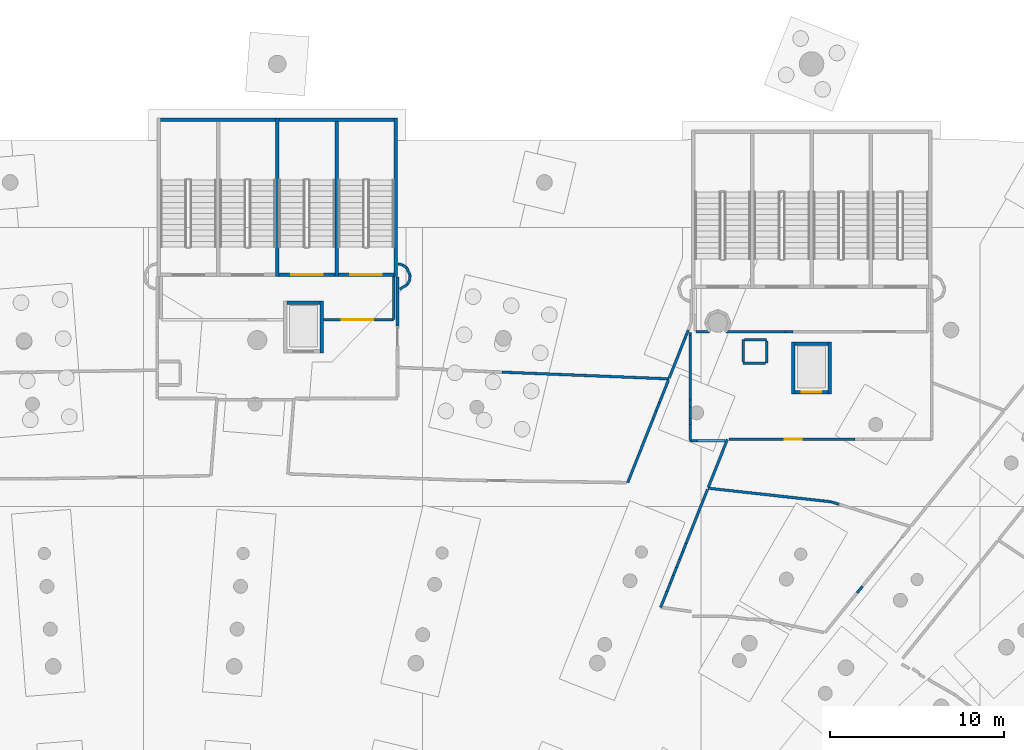
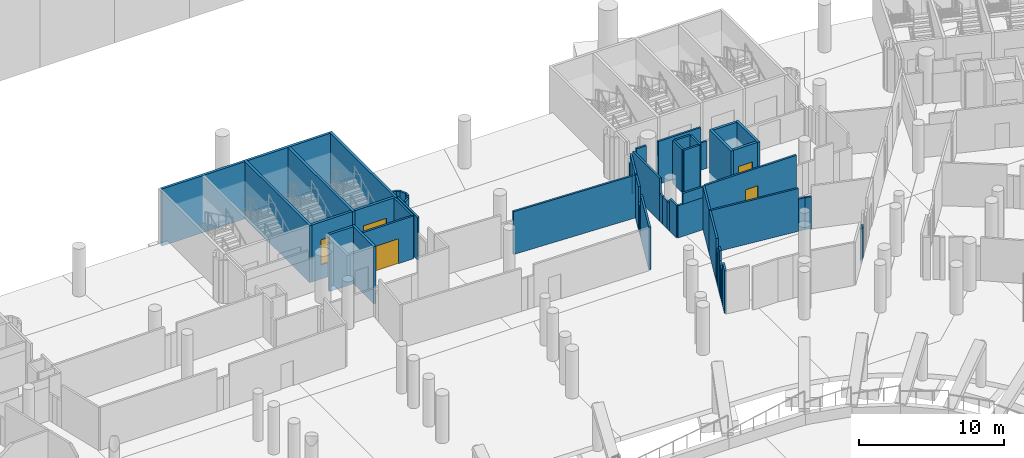
# One storey, part 89 of 142: 58 walls, 5 doors, 5 openings.
"""IFC4 building model written with IfcOpenShell, lengths in metres."""

from ifc_helpers import new_model, si_unit, direction, frame, frame_2d, origin, place, context, subcontext, project, spatial, rectangle, extrude, material, layer, layer_set, type_object, element, fill, save


model = new_model("IFC4")

# Units and contexts
model_context = context("Model", 3, precision=1e-05, world=origin(), true_north=direction((0.0, 1.0)))
body_context = subcontext(model_context, "Body", "Model", "MODEL_VIEW")
ifc_project = project(units=[si_unit("LENGTHUNIT", "METRE"), si_unit("AREAUNIT", "SQUARE_METRE"), si_unit("VOLUMEUNIT", "CUBIC_METRE"), si_unit("PLANEANGLEUNIT", "RADIAN"), si_unit("MASSUNIT", "GRAM", prefix="KILO")], contexts=[model_context])

# Site, building, storey
site_placement = place(None, origin())
site = spatial("IfcSite", under=ifc_project, at=site_placement, CompositionType="ELEMENT")
building_placement = place(site_placement, origin())
building = spatial("IfcBuilding", under=site, at=building_placement, Name="Meseta Stadium", CompositionType="ELEMENT")
storey_placement = place(building_placement, frame((0.0, 0.0, -4.0)))
storey = spatial("IfcBuildingStorey", under=building, at=storey_placement, Name="B1", CompositionType="ELEMENT", Elevation=-4.0)

# Walls
ifc_material_1 = material(Name="Concrete C40/50", Category="concrete")
ifc_layer_1 = layer(ifc_material_1, 0.199951171875)
ifc_layer_set_1 = layer_set([ifc_layer_1], Name="Core divider wall 200")
wall_type_1 = type_object("IfcWallType", Name="Core divider wall 200", PredefinedType="SHEAR", material=ifc_layer_set_1)
wall_1_placement = place(storey_placement, frame((11.066650390625, 102.300048828125, -1.199951171875), z_axis=(0.0, 0.0, 1.0), x_axis=(0.0, -1.0, 0.0)))
element("IfcWall", 1, at=wall_1_placement, inside=storey, type_object=wall_type_1, Name="Core 10 B1 stair A divider wall", PredefinedType="SHEAR", context=body_context, shape_type="SweptSolid", body=[
    extrude(rectangle(XDim=9.10009765625, YDim=0.199951171875, at=frame_2d((4.550048828125, 0.0))), origin(), (0.0, 0.0, 1.0), 4.800048828125),
])
ifc_material_2 = material(Name="Concrete C40/50", Category="concrete")
ifc_layer_2 = layer(ifc_material_2, 0.199951171875)
ifc_layer_set_2 = layer_set([ifc_layer_2], Name="Core shaft wall 200")
wall_type_2 = type_object("IfcWallType", Name="Core shaft wall 200", PredefinedType="SHEAR", material=ifc_layer_set_2)
for number, where, z_axis, x_axis, name in (
    (2, (39.38330078125, 89.451171875, -1.199951171875), (0.0, 0.0, 1.0), (0.0, -1.0, 0.0), "Core 09 B1 lift shaft wall left"),
    (3, (37.283203125, 89.451171875, -1.199951171875), (0.0, 0.0, 1.0), (0.0, -1.0, 0.0), "Core 09 B1 lift shaft wall right"),
):
    element("IfcWall", number, at=place(storey_placement, frame(where, z_axis=z_axis, x_axis=x_axis)), inside=storey, type_object=wall_type_2, Name=name, PredefinedType="SHEAR", context=body_context, shape_type="SweptSolid", body=[
        extrude(rectangle(XDim=3.0, YDim=0.199951171875, at=frame_2d((1.5, 0.0))), origin(), (0.0, 0.0, 1.0), 4.800048828125),
    ])
wall_2_placement = place(storey_placement, frame((39.283203125, 89.35107421875, -1.199951171875), z_axis=(0.0, 0.0, 1.0), x_axis=(-1.0, 0.0, 0.0)))
element("IfcWall", 4, at=wall_2_placement, inside=storey, type_object=wall_type_2, Name="Core 09 B1 lift shaft back wall", PredefinedType="SHEAR", context=body_context, shape_type="SweptSolid", body=[
    extrude(rectangle(XDim=1.89990234375, YDim=0.199951171875, at=frame_2d((0.949951171875, 0.0))), origin(), (0.0, 0.0, 1.0), 4.800048828125),
])

# Wall, opening, door
wall_3_placement = place(storey_placement, frame((39.283203125, 86.551025390625, -1.199951171875), z_axis=(0.0, 0.0, 1.0), x_axis=(-1.0, 0.0, 0.0)))
wall_3 = element("IfcWall", 5, at=wall_3_placement, inside=storey, type_object=wall_type_2, Name="Core 09 B1 lift shaft front wall", PredefinedType="SHEAR", context=body_context, shape_type="SweptSolid", body=[
    extrude(rectangle(XDim=1.89990234375, YDim=0.199951171875, at=frame_2d((0.949951171875, 0.0))), origin(), (0.0, 0.0, 1.0), 4.800048828125),
])
opening_1_placement = place(wall_3_placement, frame((0.39990234375, 0.0, 1.199951171875)))
opening_1 = element("IfcOpeningElement", 6, at=opening_1_placement, cuts=wall_3, Name="Opening LD47", PredefinedType="OPENING", context=body_context, shape_type="SweptSolid", body=[
    extrude(rectangle(XDim=1.10009765625, YDim=2.10009765625, at=frame_2d((0.550048828125, 1.050048828125))), frame((0.0, 0.10986328125, 0.0), z_axis=(0.0, -1.0, 0.0), x_axis=(1.0, 0.0, 0.0)), (0.0, 0.0, 1.0), 0.219970703125),
])
ifc_material_3 = material(Name="Steel", Category="steel")
door_type_1 = type_object("IfcDoorType", Name="Lift landing door 1100x2100", OperationType="SLIDING_TO_LEFT", PredefinedType="DOOR", material=ifc_material_3)
door_1_placement = place(opening_1_placement, origin())
door_1 = element("IfcDoor", 7, at=door_1_placement, inside=storey, type_object=door_type_1, Name="Lift landing door LD47", OperationType="SLIDING_TO_LEFT", OverallHeight=2.10009765625, OverallWidth=1.10009765625, PredefinedType="DOOR", context=body_context, shape_type="SweptSolid", body=[
    extrude(rectangle(XDim=1.10009765625, YDim=2.10009765625, at=frame_2d((0.550048828125, 1.050048828125))), frame((0.0, 0.02490234375, 0.0), z_axis=(0.0, -1.0, 0.0), x_axis=(1.0, 0.0, 0.0)), (0.0, 0.0, 1.0), 0.050048828125),
])
fill(opening_1, door_1)

# Walls
for number, where, z_axis, x_axis, name in (
    (8, (14.466796875, 102.300048828125, -1.199951171875), (0.0, 0.0, 1.0), (0.0, -1.0, 0.0), "Core 10 B1 stair wall A-side"),
    (9, (7.666748046875, 102.300048828125, -1.199951171875), (0.0, 0.0, 1.0), (0.0, -1.0, 0.0), "Core 10 B1 stair wall shared"),
):
    element("IfcWall", number, at=place(storey_placement, frame(where, z_axis=z_axis, x_axis=x_axis)), inside=storey, type_object=wall_type_2, Name=name, PredefinedType="SHEAR", context=body_context, shape_type="SweptSolid", body=[
        extrude(rectangle(XDim=9.10009765625, YDim=0.199951171875, at=frame_2d((4.550048828125, 0.0))), origin(), (0.0, 0.0, 1.0), 4.800048828125),
    ])
wall_4_placement = place(storey_placement, frame((14.36669921875, 102.199951171875, -1.199951171875), z_axis=(0.0, 0.0, 1.0), x_axis=(-1.0, 0.0, 0.0)))
element("IfcWall", 10, at=wall_4_placement, inside=storey, type_object=wall_type_2, Name="Core 10 B1 stair A outer end wall", PredefinedType="SHEAR", context=body_context, shape_type="SweptSolid", body=[
    extrude(rectangle(XDim=6.60009765625, YDim=0.199951171875, at=frame_2d((3.300048828125, 0.0))), origin(), (0.0, 0.0, 1.0), 4.800048828125),
])
wall_5_placement = place(storey_placement, frame((7.566650390625, 102.199951171875, -1.199951171875), z_axis=(0.0, 0.0, 1.0), x_axis=(-1.0, 0.0, 0.0)))
element("IfcWall", 11, at=wall_5_placement, inside=storey, type_object=wall_type_2, Name="Core 10 B1 stair B outer end wall", PredefinedType="SHEAR", context=body_context, shape_type="SweptSolid", body=[
    extrude(rectangle(XDim=6.599853515625, YDim=0.199951171875, at=frame_2d((3.2998046875, 0.0))), origin(), (0.0, 0.0, 1.0), 4.800048828125),
])

# Wall, opening, door
wall_6_placement = place(storey_placement, frame((14.36669921875, 93.300048828125, -1.199951171875), z_axis=(0.0, 0.0, 1.0), x_axis=(-1.0, 0.0, 0.0)))
wall_6 = element("IfcWall", 12, at=wall_6_placement, inside=storey, type_object=wall_type_2, Name="Core 10 B1 stair A1 inner end wall", PredefinedType="SHEAR", context=body_context, shape_type="SweptSolid", body=[
    extrude(rectangle(XDim=3.199951171875, YDim=0.199951171875, at=frame_2d((1.60009765625, 0.0))), origin(), (0.0, 0.0, 1.0), 4.800048828125),
])
opening_2_placement = place(wall_6_placement, frame((0.699951171875, 0.0, 1.199951171875)))
opening_2 = element("IfcOpeningElement", 13, at=opening_2_placement, cuts=wall_6, Name="Opening D139", PredefinedType="OPENING", context=body_context, shape_type="SweptSolid", body=[
    extrude(rectangle(XDim=1.800048828125, YDim=2.10009765625, at=frame_2d((0.89990234375, 1.050048828125))), frame((0.0, 0.10986328125, 0.0), z_axis=(0.0, -1.0, 0.0), x_axis=(1.0, 0.0, 0.0)), (0.0, 0.0, 1.0), 0.219970703125),
])
ifc_material_4 = material(Name="Steel", Category="steel")
door_type_2 = type_object("IfcDoorType", Name="Stair door 1800x2100", OperationType="DOUBLE_DOOR_SINGLE_SWING", PredefinedType="DOOR", material=ifc_material_4)
door_2_placement = place(opening_2_placement, origin())
door_2 = element("IfcDoor", 14, at=door_2_placement, inside=storey, type_object=door_type_2, Name="Stair A1 door 10 B1", OperationType="DOUBLE_DOOR_SINGLE_SWING", OverallHeight=2.10009765625, OverallWidth=1.800048828125, PredefinedType="DOOR", context=body_context, shape_type="SweptSolid", body=[
    extrude(rectangle(XDim=1.800048828125, YDim=2.10009765625, at=frame_2d((0.89990234375, 1.050048828125))), frame((0.0, 0.02490234375, 0.0), z_axis=(0.0, -1.0, 0.0), x_axis=(1.0, 0.0, 0.0)), (0.0, 0.0, 1.0), 0.050048828125),
])
fill(opening_2, door_2)

wall_7_placement = place(storey_placement, frame((10.966796875, 93.300048828125, -1.199951171875), z_axis=(0.0, 0.0, 1.0), x_axis=(-1.0, 0.0, 0.0)))
wall_7 = element("IfcWall", 15, at=wall_7_placement, inside=storey, type_object=wall_type_2, Name="Core 10 B1 stair A2 inner end wall", PredefinedType="SHEAR", context=body_context, shape_type="SweptSolid", body=[
    extrude(rectangle(XDim=3.2001953125, YDim=0.199951171875, at=frame_2d((1.60009765625, 0.0))), origin(), (0.0, 0.0, 1.0), 4.800048828125),
])
opening_3_placement = place(wall_7_placement, frame((0.699951171875, 0.0, 1.199951171875)))
opening_3 = element("IfcOpeningElement", 16, at=opening_3_placement, cuts=wall_7, Name="Opening D140", PredefinedType="OPENING", context=body_context, shape_type="SweptSolid", body=[
    extrude(rectangle(XDim=1.800048828125, YDim=2.10009765625, at=frame_2d((0.89990234375, 1.050048828125))), frame((0.0, 0.10986328125, 0.0), z_axis=(0.0, -1.0, 0.0), x_axis=(1.0, 0.0, 0.0)), (0.0, 0.0, 1.0), 0.219970703125),
])
door_3_placement = place(opening_3_placement, origin())
door_3 = element("IfcDoor", 17, at=door_3_placement, inside=storey, type_object=door_type_2, Name="Stair A2 door 10 B1", OperationType="DOUBLE_DOOR_SINGLE_SWING", OverallHeight=2.10009765625, OverallWidth=1.800048828125, PredefinedType="DOOR", context=body_context, shape_type="SweptSolid", body=[
    extrude(rectangle(XDim=1.800048828125, YDim=2.10009765625, at=frame_2d((0.89990234375, 1.050048828125))), frame((0.0, 0.02490234375, 0.0), z_axis=(0.0, -1.0, 0.0), x_axis=(1.0, 0.0, 0.0)), (0.0, 0.0, 1.0), 0.050048828125),
])
fill(opening_3, door_3)

# Walls
wall_8_placement = place(storey_placement, frame((10.216796875, 91.800048828125, -1.199951171875), z_axis=(0.0, 0.0, 1.0), x_axis=(0.0, -1.0, 0.0)))
element("IfcWall", 18, at=wall_8_placement, inside=storey, type_object=wall_type_2, Name="Core 10 B1 lift shaft wall left", PredefinedType="SHEAR", context=body_context, shape_type="SweptSolid", body=[
    extrude(rectangle(XDim=3.0, YDim=0.199951171875, at=frame_2d((1.5, 0.0))), origin(), (0.0, 0.0, 1.0), 4.800048828125),
])
wall_9_placement = place(storey_placement, frame((10.11669921875, 91.699951171875, -1.199951171875), z_axis=(0.0, 0.0, 1.0), x_axis=(-1.0, 0.0, 0.0)))
element("IfcWall", 19, at=wall_9_placement, inside=storey, type_object=wall_type_2, Name="Core 10 B1 lift shaft back wall", PredefinedType="SHEAR", context=body_context, shape_type="SweptSolid", body=[
    extrude(rectangle(XDim=1.89990234375, YDim=0.199951171875, at=frame_2d((0.949951171875, 0.0))), origin(), (0.0, 0.0, 1.0), 4.800048828125),
])
ifc_material_5 = material(Name="Masonry blockwork", Category="masonry")
ifc_layer_3 = layer(ifc_material_5, 0.14990234375)
ifc_layer_set_3 = layer_set([ifc_layer_3], Name="Partition 150")
wall_type_3 = type_object("IfcWallType", Name="Partition 150", PredefinedType="PARTITIONING", material=ifc_layer_set_3)
wall_10_placement = place(storey_placement, frame((32.387451171875, 81.0517578125, 0.0), z_axis=(0.0, 0.0, 1.0), x_axis=(0.993933014058, -0.109987106363, 0.0)))
element("IfcWall", 20, at=wall_10_placement, inside=storey, type_object=wall_type_3, Name="Partition B1 B1-cell07-1-0", PredefinedType="PARTITIONING", context=body_context, shape_type="SweptSolid", body=[
    extrude(rectangle(XDim=6.632568359375, YDim=0.14990234375, at=frame_2d((3.31640625, 0.0))), origin(), (0.0, 0.0, 1.0), 3.60009765625),
])
wall_11_placement = place(storey_placement, frame((38.979736328125, 80.322265625, 0.0), z_axis=(0.0, 0.0, 1.0), x_axis=(0.993902570525, -0.110261871484, 0.0)))
element("IfcWall", 21, at=wall_11_placement, inside=storey, type_object=wall_type_3, Name="Partition B1 B1-cell07-1-0", PredefinedType="PARTITIONING", context=body_context, shape_type="SweptSolid", body=[
    extrude(rectangle(XDim=0.473876953125, YDim=0.14990234375, at=frame_2d((0.23681640625, 0.0))), origin(), (0.0, 0.0, 1.0), 2.699951171875),
])
wall_12_placement = place(storey_placement, frame((39.45068359375, 80.27001953125, 0.0), z_axis=(0.0, 0.0, 1.0), x_axis=(0.954489064693, -0.298245914275, 0.0)))
element("IfcWall", 22, at=wall_12_placement, inside=storey, type_object=wall_type_3, Name="Partition B1 B1-cell07-1-0", PredefinedType="PARTITIONING", context=body_context, shape_type="SweptSolid", body=[
    extrude(rectangle(XDim=0.47802734375, YDim=0.14990234375, at=frame_2d((0.239013671875, 0.0))), origin(), (0.0, 0.0, 1.0), 2.699951171875),
])
wall_13_placement = place(storey_placement, frame((41.250732421875, 75.419677734375, 0.0), z_axis=(0.0, 0.0, 1.0), x_axis=(-0.627918424416, -0.778279160892, 0.0)))
element("IfcWall", 23, at=wall_13_placement, inside=storey, type_object=wall_type_3, Name="Partition B1 B1-cell07-1-0", PredefinedType="PARTITIONING", context=body_context, shape_type="SweptSolid", body=[
    extrude(rectangle(XDim=0.48876953125, YDim=0.14990234375, at=frame_2d((0.244384765625, 0.0))), origin(), (0.0, 0.0, 1.0), 2.699951171875),
])
wall_14_placement = place(storey_placement, frame((29.672607421875, 74.21044921875, 0.0), z_axis=(0.0, 0.0, 1.0), x_axis=(0.368944457188, 0.929451444407, 0.0)))
element("IfcWall", 24, at=wall_14_placement, inside=storey, type_object=wall_type_3, Name="Partition B1 B1-cell07-1-0", PredefinedType="PARTITIONING", context=body_context, shape_type="SweptSolid", body=[
    extrude(rectangle(XDim=0.9814453125, YDim=0.14990234375, at=frame_2d((0.49072265625, 0.0))), origin(), (0.0, 0.0, 1.0), 3.60009765625),
])
wall_15_placement = place(storey_placement, frame((30.03466796875, 75.12255859375, 0.0), z_axis=(0.0, 0.0, 1.0), x_axis=(0.368729509372, 0.929536738875, 0.0)))
element("IfcWall", 25, at=wall_15_placement, inside=storey, type_object=wall_type_3, Name="Partition B1 B1-cell07-1-0", PredefinedType="PARTITIONING", context=body_context, shape_type="SweptSolid", body=[
    extrude(rectangle(XDim=0.49072265625, YDim=0.14990234375, at=frame_2d((0.245361328125, 0.0))), origin(), (0.0, 0.0, 1.0), 2.699951171875),
])
wall_16_placement = place(storey_placement, frame((30.215576171875, 75.57861328125, 0.0), z_axis=(0.0, 0.0, 1.0), x_axis=(0.36855902715, 0.929604347831, 0.0)))
element("IfcWall", 26, at=wall_16_placement, inside=storey, type_object=wall_type_3, Name="Partition B1 B1-cell07-1-0", PredefinedType="PARTITIONING", context=body_context, shape_type="SweptSolid", body=[
    extrude(rectangle(XDim=0.490966796875, YDim=0.14990234375, at=frame_2d((0.24560546875, 0.0))), origin(), (0.0, 0.0, 1.0), 2.699951171875),
])
wall_17_placement = place(storey_placement, frame((30.396484375, 76.034912109375, 0.0), z_axis=(0.0, 0.0, 1.0), x_axis=(0.369159345825, 0.929366115904, 0.0)))
element("IfcWall", 27, at=wall_17_placement, inside=storey, type_object=wall_type_3, Name="Partition B1 B1-cell07-1-0", PredefinedType="PARTITIONING", context=body_context, shape_type="SweptSolid", body=[
    extrude(rectangle(XDim=0.49072265625, YDim=0.14990234375, at=frame_2d((0.245361328125, 0.0))), origin(), (0.0, 0.0, 1.0), 2.699951171875),
])
wall_18_placement = place(storey_placement, frame((30.57763671875, 76.490966796875, 0.0), z_axis=(0.0, 0.0, 1.0), x_axis=(0.368729509372, 0.929536738875, 0.0)))
element("IfcWall", 28, at=wall_18_placement, inside=storey, type_object=wall_type_3, Name="Partition B1 B1-cell07-1-0", PredefinedType="PARTITIONING", context=body_context, shape_type="SweptSolid", body=[
    extrude(rectangle(XDim=0.49072265625, YDim=0.14990234375, at=frame_2d((0.245361328125, 0.0))), origin(), (0.0, 0.0, 1.0), 3.60009765625),
])
for number, where, z_axis, x_axis, name in (
    (29, (30.758544921875, 76.947021484375, 0.0), (0.0, 0.0, 1.0), (0.368729509372, 0.929536738875, 0.0), "Partition B1 B1-cell07-1-0"),
    (30, (30.939453125, 77.403076171875, 0.0), (0.0, 0.0, 1.0), (0.369159345825, 0.929366115904, 0.0), "Partition B1 B1-cell07-1-0"),
):
    element("IfcWall", number, at=place(storey_placement, frame(where, z_axis=z_axis, x_axis=x_axis)), inside=storey, type_object=wall_type_3, Name=name, PredefinedType="PARTITIONING", context=body_context, shape_type="SweptSolid", body=[
        extrude(rectangle(XDim=0.49072265625, YDim=0.14990234375, at=frame_2d((0.245361328125, 0.0))), origin(), (0.0, 0.0, 1.0), 2.699951171875),
    ])
wall_19_placement = place(storey_placement, frame((31.12060546875, 77.859130859375, 0.0), z_axis=(0.0, 0.0, 1.0), x_axis=(0.368856490628, 0.929486357792, 0.0)))
element("IfcWall", 31, at=wall_19_placement, inside=storey, type_object=wall_type_3, Name="Partition B1 B1-cell07-1-0", PredefinedType="PARTITIONING", context=body_context, shape_type="SweptSolid", body=[
    extrude(rectangle(XDim=3.357177734375, YDim=0.14990234375, at=frame_2d((1.6787109375, 0.0))), origin(), (0.0, 0.0, 1.0), 3.60009765625),
])
wall_20_placement = place(storey_placement, frame((32.406494140625, 81.10009765625, 0.0), z_axis=(0.0, 0.0, 1.0), x_axis=(0.368886243229, 0.929474550247, 0.0)))
element("IfcWall", 32, at=wall_20_placement, inside=storey, type_object=wall_type_3, Name="Partition B1 B1-cell07-2-0", PredefinedType="PARTITIONING", context=body_context, shape_type="SweptSolid", body=[
    extrude(rectangle(XDim=2.959716796875, YDim=0.14990234375, at=frame_2d((1.47998046875, 0.0))), origin(), (0.0, 0.0, 1.0), 3.60009765625),
])

# Wall, opening, door
wall_21_placement = place(storey_placement, frame((33.5791015625, 83.85107421875, 0.0), z_axis=(0.0, 0.0, 1.0), x_axis=(1.0, 0.0, 0.0)))
wall_21 = element("IfcWall", 33, at=wall_21_placement, inside=storey, type_object=wall_type_3, Name="Partition B1 B1-cell07-2-0", PredefinedType="PARTITIONING", context=body_context, shape_type="SweptSolid", body=[
    extrude(rectangle(XDim=7.253662109375, YDim=0.14990234375, at=frame_2d((3.626953125, 0.0))), origin(), (0.0, 0.0, 1.0), 3.60009765625),
])
opening_4_placement = place(wall_21_placement, frame((3.199951171875, 0.0, 0.0)))
opening_4 = element("IfcOpeningElement", 34, at=opening_4_placement, cuts=wall_21, Name="Opening D455", PredefinedType="OPENING", context=body_context, shape_type="SweptSolid", body=[
    extrude(rectangle(XDim=1.0, YDim=2.10009765625, at=frame_2d((0.5, 1.050048828125))), frame((0.0, 0.0849609375, 0.0), z_axis=(0.0, -1.0, 0.0), x_axis=(1.0, 0.0, 0.0)), (0.0, 0.0, 1.0), 0.169921875),
])
ifc_material_6 = material(Name="Steel", Category="steel")
door_type_3 = type_object("IfcDoorType", Name="Fire door 1000x2100 EI2 120", OperationType="NOTDEFINED", PredefinedType="DOOR", material=ifc_material_6)
door_4_placement = place(opening_4_placement, origin())
door_4 = element("IfcDoor", 35, at=door_4_placement, inside=storey, type_object=door_type_3, Name="Door D455", OperationType="SINGLE_SWING_LEFT", OverallHeight=2.10009765625, OverallWidth=1.0, PredefinedType="DOOR", context=body_context, shape_type="SweptSolid", body=[
    extrude(rectangle(XDim=1.0, YDim=2.10009765625, at=frame_2d((0.5, 1.050048828125))), frame((0.0, 0.02490234375, 0.0), z_axis=(0.0, -1.0, 0.0), x_axis=(1.0, 0.0, 0.0)), (0.0, 0.0, 1.0), 0.050048828125),
])
fill(opening_4, door_4)

# Walls
wall_22_placement = place(storey_placement, frame((20.56494140625, 87.71142578125, 0.0), z_axis=(0.0, 0.0, 1.0), x_axis=(0.999191082899, -0.040214174799, 0.0)))
element("IfcWall", 36, at=wall_22_placement, inside=storey, type_object=wall_type_3, Name="Partition B1 B1-cell08-1-0", PredefinedType="PARTITIONING", context=body_context, shape_type="SweptSolid", body=[
    extrude(rectangle(XDim=9.586181640625, YDim=0.14990234375, at=frame_2d((4.79296875, 0.0))), origin(), (0.0, 0.0, 1.0), 3.60009765625),
])
wall_23_placement = place(storey_placement, frame((30.114013671875, 87.251953125, 0.0), z_axis=(0.0, 0.0, 1.0), x_axis=(-0.368802456255, -0.929507798924, 0.0)))
element("IfcWall", 37, at=wall_23_placement, inside=storey, type_object=wall_type_3, Name="Partition B1 B1-cell08-1-0", PredefinedType="PARTITIONING", context=body_context, shape_type="SweptSolid", body=[
    extrude(rectangle(XDim=1.3994140625, YDim=0.14990234375, at=frame_2d((0.69970703125, 0.0))), origin(), (0.0, 0.0, 1.0), 3.60009765625),
])
for number, where, z_axis, x_axis, name in (
    (38, (29.597900390625, 85.951171875, 0.0), (0.0, 0.0, 1.0), (-0.368913426822, -0.929463761268, 0.0), "Partition B1 B1-cell08-1-0"),
    (39, (29.416015625, 85.492919921875, 0.0), (0.0, 0.0, 1.0), (-0.368913426822, -0.929463761268, 0.0), "Partition B1 B1-cell08-1-0"),
):
    element("IfcWall", number, at=place(storey_placement, frame(where, z_axis=z_axis, x_axis=x_axis)), inside=storey, type_object=wall_type_3, Name=name, PredefinedType="PARTITIONING", context=body_context, shape_type="SweptSolid", body=[
        extrude(rectangle(XDim=0.492919921875, YDim=0.14990234375, at=frame_2d((0.24658203125, 0.0))), origin(), (0.0, 0.0, 1.0), 2.300048828125),
    ])
wall_24_placement = place(storey_placement, frame((29.234130859375, 85.03466796875, 0.0), z_axis=(0.0, 0.0, 1.0), x_axis=(-0.368859950934, -0.9294849846, 0.0)))
element("IfcWall", 40, at=wall_24_placement, inside=storey, type_object=wall_type_3, Name="Partition B1 B1-cell08-1-0", PredefinedType="PARTITIONING", context=body_context, shape_type="SweptSolid", body=[
    extrude(rectangle(XDim=3.944091796875, YDim=0.14990234375, at=frame_2d((1.97216796875, 0.0))), origin(), (0.0, 0.0, 1.0), 3.60009765625),
])
wall_25_placement = place(storey_placement, frame((14.566650390625, 90.366455078125, 0.0), z_axis=(0.0, 0.0, 1.0), x_axis=(0.0, 1.0, 0.0)))
element("IfcWall", 41, at=wall_25_placement, inside=storey, type_object=wall_type_3, Name="Partition B1 B1-cell08-2-0", PredefinedType="PARTITIONING", context=body_context, shape_type="SweptSolid", body=[
    extrude(rectangle(XDim=2.79345703125, YDim=0.14990234375, at=frame_2d((1.396728515625, 0.0))), origin(), (0.0, 0.0, 1.0), 3.60009765625),
])
wall_26_placement = place(storey_placement, frame((31.251708984375, 90.118896484375, 0.0), z_axis=(0.0, 0.0, 1.0), x_axis=(-0.368825125467, -0.9294988041, 0.0)))
element("IfcWall", 42, at=wall_26_placement, inside=storey, type_object=wall_type_3, Name="Partition B1 B1-cell08-2-0", PredefinedType="PARTITIONING", context=body_context, shape_type="SweptSolid", body=[
    extrude(rectangle(XDim=0.492431640625, YDim=0.14990234375, at=frame_2d((0.24609375, 0.0))), origin(), (0.0, 0.0, 1.0), 2.5),
])
wall_27_placement = place(storey_placement, frame((31.070068359375, 89.6611328125, 0.0), z_axis=(0.0, 0.0, 1.0), x_axis=(-0.368825125467, -0.9294988041, 0.0)))
element("IfcWall", 43, at=wall_27_placement, inside=storey, type_object=wall_type_3, Name="Partition B1 B1-cell08-2-0", PredefinedType="PARTITIONING", context=body_context, shape_type="SweptSolid", body=[
    extrude(rectangle(XDim=2.46240234375, YDim=0.14990234375, at=frame_2d((1.231201171875, 0.0))), origin(), (0.0, 0.0, 1.0), 3.60009765625),
])
wall_28_placement = place(storey_placement, frame((35.75830078125, 89.576171875, 0.0), z_axis=(0.0, 0.0, 1.0), x_axis=(-1.0, 0.0, 0.0)))
element("IfcWall", 44, at=wall_28_placement, inside=storey, type_object=wall_type_3, Name="Pressurisation shaft wall B1 core 09", PredefinedType="PARTITIONING", context=body_context, shape_type="SweptSolid", body=[
    extrude(rectangle(XDim=1.27490234375, YDim=0.14990234375, at=frame_2d((0.637451171875, 0.0))), origin(), (0.0, 0.0, 1.0), 3.60009765625),
])
for number, where, z_axis, x_axis, name in (
    (45, (34.408203125, 89.576171875, 0.0), (0.0, 0.0, 1.0), (0.0, -1.0, 0.0), "Pressurisation shaft wall B1 core 09"),
    (46, (34.408203125, 88.22607421875, 0.0), (0.0, 0.0, 1.0), (1.0, 0.0, 0.0), "Pressurisation shaft wall B1 core 09"),
    (47, (35.75830078125, 88.22607421875, 0.0), (0.0, 0.0, 1.0), (0.0, 1.0, 0.0), "Pressurisation shaft wall B1 core 09"),
):
    element("IfcWall", number, at=place(storey_placement, frame(where, z_axis=z_axis, x_axis=x_axis)), inside=storey, type_object=wall_type_3, Name=name, PredefinedType="PARTITIONING", context=body_context, shape_type="SweptSolid", body=[
        extrude(rectangle(XDim=1.275146484375, YDim=0.14990234375, at=frame_2d((0.6376953125, 0.0))), origin(), (0.0, 0.0, 1.0), 3.60009765625),
    ])
wall_29_placement = place(storey_placement, frame((31.693359375, 90.02490234375, 0.0), z_axis=(0.0, 0.0, 1.0), x_axis=(1.0, 0.0, 0.0)))
element("IfcWall", 48, at=wall_29_placement, inside=storey, type_object=wall_type_3, Name="Stair vestibule wall B1 core 09", PredefinedType="PARTITIONING", context=body_context, shape_type="SweptSolid", body=[
    extrude(rectangle(XDim=0.781982421875, YDim=0.14990234375, at=frame_2d((0.39111328125, 0.0))), origin(), (0.0, 0.0, 1.0), 3.60009765625),
])
wall_30_placement = place(storey_placement, frame((33.41259765625, 90.02490234375, 0.0), z_axis=(0.0, 0.0, 1.0), x_axis=(1.0, 0.0, 0.0)))
element("IfcWall", 49, at=wall_30_placement, inside=storey, type_object=wall_type_3, Name="Stair vestibule wall B1 core 09", PredefinedType="PARTITIONING", context=body_context, shape_type="SweptSolid", body=[
    extrude(rectangle(XDim=3.382080078125, YDim=0.14990234375, at=frame_2d((1.69091796875, 0.0))), origin(), (0.0, 0.0, 1.0), 3.60009765625),
])
wall_31_placement = place(storey_placement, frame((36.794677734375, 90.02490234375, 0.0), z_axis=(0.0, 0.0, 1.0), x_axis=(1.0, 0.0, 0.0)))
element("IfcWall", 50, at=wall_31_placement, inside=storey, type_object=wall_type_3, Name="Stair vestibule wall B1 core 09", PredefinedType="PARTITIONING", context=body_context, shape_type="SweptSolid", body=[
    extrude(rectangle(XDim=0.483154296875, YDim=0.14990234375, at=frame_2d((0.24169921875, 0.0))), origin(), (0.0, 0.0, 1.0), 2.300048828125),
])
wall_32_placement = place(storey_placement, frame((31.3583984375, 89.994140625, 0.0), z_axis=(0.0, 0.0, 1.0), x_axis=(0.0, -1.0, 0.0)))
element("IfcWall", 51, at=wall_32_placement, inside=storey, type_object=wall_type_3, Name="Stair vestibule wall B1 core 09", PredefinedType="PARTITIONING", context=body_context, shape_type="SweptSolid", body=[
    extrude(rectangle(XDim=0.180908203125, YDim=0.14990234375, at=frame_2d((0.09033203125, 0.0))), origin(), (0.0, 0.0, 1.0), 2.5),
])
wall_33_placement = place(storey_placement, frame((31.3583984375, 89.813232421875, 0.0), z_axis=(0.0, 0.0, 1.0), x_axis=(0.0, -1.0, 0.0)))
element("IfcWall", 52, at=wall_33_placement, inside=storey, type_object=wall_type_3, Name="Stair vestibule wall B1 core 09", PredefinedType="PARTITIONING", context=body_context, shape_type="SweptSolid", body=[
    extrude(rectangle(XDim=3.715087890625, YDim=0.14990234375, at=frame_2d((1.857421875, 0.0))), origin(), (0.0, 0.0, 1.0), 3.60009765625),
])
wall_34_placement = place(storey_placement, frame((31.3583984375, 86.09814453125, 0.0), z_axis=(0.0, 0.0, 1.0), x_axis=(0.0, -1.0, 0.0)))
element("IfcWall", 53, at=wall_34_placement, inside=storey, type_object=wall_type_3, Name="Stair vestibule wall B1 core 09", PredefinedType="PARTITIONING", context=body_context, shape_type="SweptSolid", body=[
    extrude(rectangle(XDim=0.388916015625, YDim=0.14990234375, at=frame_2d((0.1943359375, 0.0))), origin(), (0.0, 0.0, 1.0), 2.300048828125),
])
wall_35_placement = place(storey_placement, frame((31.3583984375, 85.044189453125, 0.0), z_axis=(0.0, 0.0, 1.0), x_axis=(0.0, -1.0, 0.0)))
element("IfcWall", 54, at=wall_35_placement, inside=storey, type_object=wall_type_3, Name="Stair vestibule wall B1 core 09", PredefinedType="PARTITIONING", context=body_context, shape_type="SweptSolid", body=[
    extrude(rectangle(XDim=0.33935546875, YDim=0.14990234375, at=frame_2d((0.169677734375, 0.0))), origin(), (0.0, 0.0, 1.0), 2.300048828125),
])
wall_36_placement = place(storey_placement, frame((31.3583984375, 84.704833984375, 0.0), z_axis=(0.0, 0.0, 1.0), x_axis=(0.0, -1.0, 0.0)))
element("IfcWall", 55, at=wall_36_placement, inside=storey, type_object=wall_type_3, Name="Stair vestibule wall B1 core 09", PredefinedType="PARTITIONING", context=body_context, shape_type="SweptSolid", body=[
    extrude(rectangle(XDim=0.9287109375, YDim=0.14990234375, at=frame_2d((0.46435546875, 0.0))), origin(), (0.0, 0.0, 1.0), 2.699951171875),
])
wall_37_placement = place(storey_placement, frame((31.3583984375, 83.776123046875, 0.0), z_axis=(0.0, 0.0, 1.0), x_axis=(1.0, 0.0, 0.0)))
element("IfcWall", 56, at=wall_37_placement, inside=storey, type_object=wall_type_3, Name="Stair vestibule wall B1 core 09", PredefinedType="PARTITIONING", context=body_context, shape_type="SweptSolid", body=[
    extrude(rectangle(XDim=1.998779296875, YDim=0.14990234375, at=frame_2d((0.99951171875, 0.0))), origin(), (0.0, 0.0, 1.0), 2.699951171875),
])
wall_38_placement = place(storey_placement, frame((31.767333984375, 83.776123046875, 2.699951171875), z_axis=(0.0, 0.0, 1.0), x_axis=(1.0, 0.0, 0.0)))
element("IfcWall", 57, at=wall_38_placement, inside=storey, type_object=wall_type_3, Name="Stair vestibule wall B1 core 09", PredefinedType="PARTITIONING", context=body_context, shape_type="SweptSolid", body=[
    extrude(rectangle(XDim=1.58984375, YDim=0.14990234375, at=frame_2d((0.794921875, 0.0))), origin(), (0.0, 0.0, 1.0), 0.900146484375),
])
wall_39_placement = place(storey_placement, frame((31.3583984375, 85.709228515625, 0.0), z_axis=(0.0, 0.0, 1.0), x_axis=(0.0, -1.0, 0.0)))
element("IfcWall", 58, at=wall_39_placement, inside=storey, type_object=wall_type_3, Name="Stair vestibule wall B1 core 09", PredefinedType="PARTITIONING", context=body_context, shape_type="SweptSolid", body=[
    extrude(rectangle(XDim=0.6650390625, YDim=0.14990234375, at=frame_2d((0.33251953125, 0.0))), origin(), (0.0, 0.0, 1.0), 2.300048828125),
])

# Wall, opening, door
wall_40_placement = place(storey_placement, frame((10.32666015625, 90.72509765625, 0.0), z_axis=(0.0, 0.0, 1.0), x_axis=(1.0, 0.0, 0.0)))
wall_40 = element("IfcWall", 59, at=wall_40_placement, inside=storey, type_object=wall_type_3, Name="Stair vestibule wall B1 core 10", PredefinedType="PARTITIONING", context=body_context, shape_type="SweptSolid", body=[
    extrude(rectangle(XDim=4.01513671875, YDim=0.14990234375, at=frame_2d((2.007568359375, 0.0))), origin(), (0.0, 0.0, 1.0), 3.60009765625),
])
opening_5_placement = place(wall_40_placement, frame((1.050048828125, 0.0, 0.0)))
opening_5 = element("IfcOpeningElement", 60, at=opening_5_placement, cuts=wall_40, Name="Opening D723", PredefinedType="OPENING", context=body_context, shape_type="SweptSolid", body=[
    extrude(rectangle(XDim=1.800048828125, YDim=2.10009765625, at=frame_2d((0.89990234375, 1.050048828125))), frame((0.0, 0.0849609375, 0.0), z_axis=(0.0, -1.0, 0.0), x_axis=(1.0, 0.0, 0.0)), (0.0, 0.0, 1.0), 0.169921875),
])
ifc_material_7 = material(Name="Steel", Category="steel")
door_type_4 = type_object("IfcDoorType", Name="Fire double door 1800x2100 EI2 60", OperationType="DOUBLE_DOOR_SINGLE_SWING", PredefinedType="DOOR", material=ifc_material_7)
door_5_placement = place(opening_5_placement, origin())
door_5 = element("IfcDoor", 61, at=door_5_placement, inside=storey, type_object=door_type_4, Name="Stair vestibule door B1 core 10", OperationType="DOUBLE_DOOR_SINGLE_SWING", OverallHeight=2.10009765625, OverallWidth=1.800048828125, PredefinedType="DOOR", context=body_context, shape_type="SweptSolid", body=[
    extrude(rectangle(XDim=1.800048828125, YDim=2.10009765625, at=frame_2d((0.89990234375, 1.050048828125))), frame((0.0, 0.02490234375, 0.0), z_axis=(0.0, -1.0, 0.0), x_axis=(1.0, 0.0, 0.0)), (0.0, 0.0, 1.0), 0.050048828125),
])
fill(opening_5, door_5)

# Walls
wall_41_placement = place(storey_placement, frame((14.341796875, 90.72509765625, 0.0), z_axis=(0.0, 0.0, 1.0), x_axis=(0.0, 1.0, 0.0)))
element("IfcWall", 62, at=wall_41_placement, inside=storey, type_object=wall_type_3, Name="Stair vestibule wall B1 core 10", PredefinedType="PARTITIONING", context=body_context, shape_type="SweptSolid", body=[
    extrude(rectangle(XDim=2.46484375, YDim=0.14990234375, at=frame_2d((1.232421875, 0.0))), origin(), (0.0, 0.0, 1.0), 3.60009765625),
])
wall_42_placement = place(storey_placement, frame((14.69580078125, 92.477294921875, 0.0), z_axis=(0.0, 0.0, 1.0), x_axis=(0.85856712863, 0.512701166017, 0.0)))
element("IfcWall", 63, at=wall_42_placement, inside=storey, type_object=wall_type_3, Name="Stair vestibule wall B1 core 10", PredefinedType="PARTITIONING", context=body_context, shape_type="SweptSolid", body=[
    extrude(rectangle(XDim=0.50048828125, YDim=0.14990234375, at=frame_2d((0.250244140625, 0.0))), origin(), (0.0, 0.0, 1.0), 3.60009765625),
])
wall_43_placement = place(storey_placement, frame((15.12548828125, 92.73388671875, 0.0), z_axis=(0.0, 0.0, 1.0), x_axis=(0.471682765858, 0.881768319, 0.0)))
element("IfcWall", 64, at=wall_43_placement, inside=storey, type_object=wall_type_3, Name="Stair vestibule wall B1 core 10", PredefinedType="PARTITIONING", context=body_context, shape_type="SweptSolid", body=[
    extrude(rectangle(XDim=0.289306640625, YDim=0.14990234375, at=frame_2d((0.14453125, 0.0))), origin(), (0.0, 0.0, 1.0), 3.60009765625),
])
wall_44_placement = place(storey_placement, frame((15.261962890625, 92.989013671875, 0.0), z_axis=(0.0, 0.0, 1.0), x_axis=(0.0978334953, 0.99520279702, 0.0)))
element("IfcWall", 65, at=wall_44_placement, inside=storey, type_object=wall_type_3, Name="Stair vestibule wall B1 core 10", PredefinedType="PARTITIONING", context=body_context, shape_type="SweptSolid", body=[
    extrude(rectangle(XDim=0.28955078125, YDim=0.14990234375, at=frame_2d((0.144775390625, 0.0))), origin(), (0.0, 0.0, 1.0), 3.60009765625),
])
wall_45_placement = place(storey_placement, frame((15.290283203125, 93.277099609375, 0.0), z_axis=(0.0, 0.0, 1.0), x_axis=(-0.427757963167, 0.903893315025, 0.0)))
element("IfcWall", 66, at=wall_45_placement, inside=storey, type_object=wall_type_3, Name="Stair vestibule wall B1 core 10", PredefinedType="PARTITIONING", context=body_context, shape_type="SweptSolid", body=[
    extrude(rectangle(XDim=0.4794921875, YDim=0.14990234375, at=frame_2d((0.23974609375, 0.0))), origin(), (0.0, 0.0, 1.0), 3.60009765625),
])
wall_46_placement = place(storey_placement, frame((15.085205078125, 93.71044921875, 0.0), z_axis=(0.0, 0.0, 1.0), x_axis=(-0.831397130511, 0.555678694372, 0.0)))
element("IfcWall", 67, at=wall_46_placement, inside=storey, type_object=wall_type_3, Name="Stair vestibule wall B1 core 10", PredefinedType="PARTITIONING", context=body_context, shape_type="SweptSolid", body=[
    extrude(rectangle(XDim=0.287841796875, YDim=0.14990234375, at=frame_2d((0.14404296875, 0.0))), origin(), (0.0, 0.0, 1.0), 3.60009765625),
])
wall_47_placement = place(storey_placement, frame((14.845947265625, 93.870361328125, 0.0), z_axis=(0.0, 0.0, 1.0), x_axis=(-0.973130593004, 0.230253879357, 0.0)))
element("IfcWall", 68, at=wall_47_placement, inside=storey, type_object=wall_type_3, Name="Stair vestibule wall B1 core 10", PredefinedType="PARTITIONING", context=body_context, shape_type="SweptSolid", body=[
    extrude(rectangle(XDim=0.257568359375, YDim=0.14990234375, at=frame_2d((0.12890625, 0.0))), origin(), (0.0, 0.0, 1.0), 3.60009765625),
])

save(model, "model.ifc")
